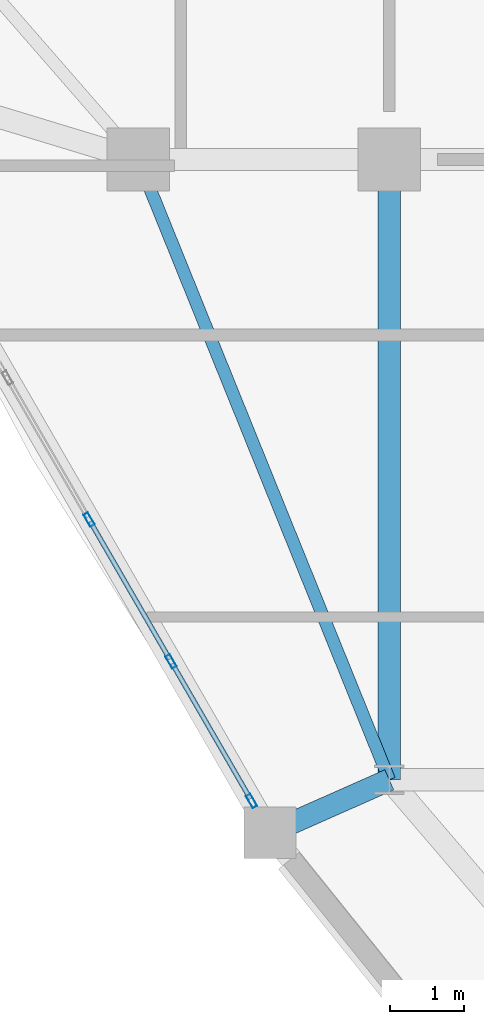
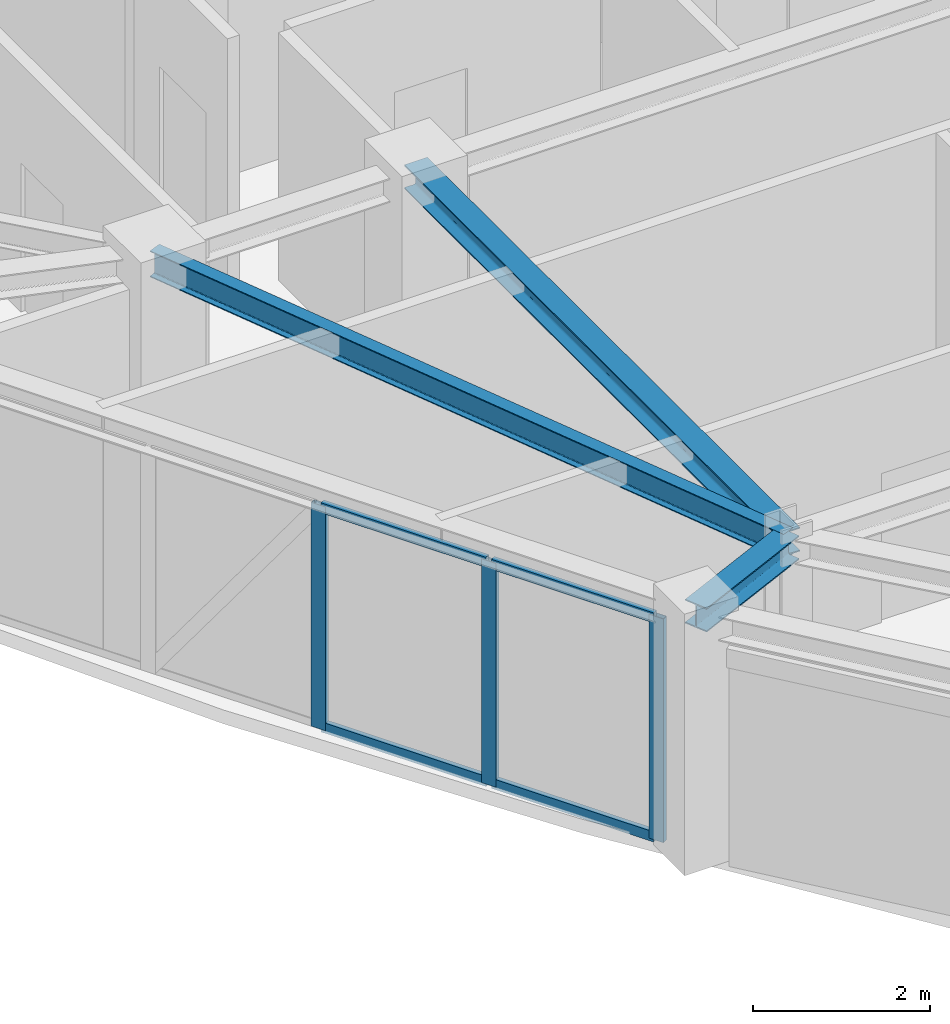
# One storey, part 2 of 15: 7 members, 3 beams, 1 element without a shape of its own.
"""IFC4 building model written with IfcOpenShell, lengths in metres."""

from ifc_helpers import new_model, si_unit, derived_unit, direction, frame, origin, origin_2d, place, context, subcontext, project, spatial, hollow_rectangle, i_section, extrude, source, transform, mapped, material, layer, layer_set, material_profile, profile_set, type_object, element, aggregate, save


model = new_model("IFC4")

# Units and contexts
model_context = context("Model", 3, precision=1e-05, world=origin(), true_north=direction((0.0, 1.0)))
body_context = subcontext(model_context, "Body", "Model", "MODEL_VIEW")
ifc_project = project(units=[si_unit("LENGTHUNIT", "METRE"), si_unit("AREAUNIT", "SQUARE_METRE"), si_unit("VOLUMEUNIT", "CUBIC_METRE"), si_unit("PLANEANGLEUNIT", "RADIAN"), si_unit("MASSUNIT", "GRAM", prefix="KILO"), derived_unit("THERMALTRANSMITTANCEUNIT", [(si_unit("POWERUNIT", "WATT"), 1), (si_unit("LENGTHUNIT", "METRE"), -2), (si_unit("THERMODYNAMICTEMPERATUREUNIT", "KELVIN"), -1)])], contexts=[model_context])

# Site, building, storey
site_placement = place(None, origin())
site = spatial("IfcSite", under=ifc_project, at=site_placement, CompositionType="ELEMENT")
building_placement = place(site_placement, origin())
building = spatial("IfcBuilding", under=site, at=building_placement, Name="Korsvarv Bourse and Concert Hall", CompositionType="ELEMENT")
storey_placement = place(building_placement, frame((0.0, 0.0, 246.60009765625)))
storey = spatial("IfcBuildingStorey", under=building, at=storey_placement, Name="L64", CompositionType="ELEMENT", Elevation=246.60009765625)

# Beams
ifc_material_1 = material(Name="Steel S355", Category="steel")
ifc_material_profile_1 = material_profile(ifc_material_1, i_section(OverallWidth=0.169921875, OverallDepth=0.360107421875, WebThickness=0.008056640625, FlangeThickness=0.0126953125, FilletRadius=0.01806640625, at=origin_2d()), Name="IPE 360")
ifc_profile_set_1 = profile_set([ifc_material_profile_1], Name="Steel S355")
beam_type_1 = type_object("IfcBeamType", Name="BM-IPE360", PredefinedType="JOIST", material=ifc_profile_set_1)
shared_shape_1 = source(origin(), body_context, "Body", "SweptSolid", [
    extrude(i_section(OverallWidth=0.169921875, OverallDepth=0.360107421875, WebThickness=0.008056640625, FlangeThickness=0.0126953125, FilletRadius=0.01806640625, at=origin_2d()), origin(), (0.0, 0.0, 1.0), 9.06201171875),
])
beam_1_placement = place(storey_placement, frame((24.199951171875, 32.39990234375, 3.22998046875), z_axis=(0.375210394783, -0.926939674222, 0.0), x_axis=(0.926939674222, 0.375210394783, 0.0)))
element("IfcBeam", 1, at=beam_1_placement, inside=storey, type_object=beam_type_1, Name="L64 beam J-06", PredefinedType="JOIST", context=body_context, shape_type="MappedRepresentation", body=[
    mapped(shared_shape_1, transform((0.0, 0.0, 0.0), scale=1.0)),
])
ifc_material_profile_2 = material_profile(ifc_material_1, i_section(OverallWidth=0.300048828125, OverallDepth=0.330078125, WebThickness=0.009521484375, FlangeThickness=0.0166015625, FilletRadius=0.02099609375, at=origin_2d()), Name="HEA 340")
ifc_profile_set_2 = profile_set([ifc_material_profile_2], Name="Steel S355")
beam_type_2 = type_object("IfcBeamType", Name="BM-HEA340", PredefinedType="BEAM", material=ifc_profile_set_2)
shared_shape_2 = source(origin(), body_context, "Body", "SweptSolid", [
    extrude(i_section(OverallWidth=0.300048828125, OverallDepth=0.330078125, WebThickness=0.009521484375, FlangeThickness=0.0166015625, FilletRadius=0.02099609375, at=origin_2d()), origin(), (0.0, 0.0, 1.0), 8.39990234375),
])
beam_2_placement = place(storey_placement, frame((27.60009765625, 24.0, 3.244873046875), z_axis=(0.0, 1.0, 0.0), x_axis=(-1.0, 0.0, 0.0)))
element("IfcBeam", 2, at=beam_2_placement, inside=storey, type_object=beam_type_2, Name="L64 beam B-12", PredefinedType="BEAM", context=body_context, shape_type="MappedRepresentation", body=[
    mapped(shared_shape_2, transform((0.0, 0.0, 0.0), scale=1.0)),
])
shared_shape_3 = source(origin(), body_context, "Body", "SweptSolid", [
    extrude(i_section(OverallWidth=0.300048828125, OverallDepth=0.330078125, WebThickness=0.009521484375, FlangeThickness=0.0166015625, FilletRadius=0.02099609375, at=origin_2d()), origin(), (0.0, 0.0, 1.0), 1.768310546875),
])
beam_3_placement = place(storey_placement, frame((25.9833984375, 23.28369140625, 3.244873046875), z_axis=(0.914277809645, 0.405087751963, 0.0), x_axis=(-0.405087751963, 0.914277809645, 0.0)))
element("IfcBeam", 3, at=beam_3_placement, inside=storey, type_object=beam_type_2, Name="L64 beam B-12", PredefinedType="BEAM", context=body_context, shape_type="MappedRepresentation", body=[
    mapped(shared_shape_3, transform((0.0, 0.0, 0.0), scale=1.0)),
])

# Curtain wall, members
ifc_material_2 = material(Name="Anodised aluminium and triple low-E glazing", Category="glass")
ifc_layer = layer(ifc_material_2, 0.199951171875)
ifc_layer_set = layer_set([ifc_layer], Name="Anodised aluminium and triple low-E glazing")
curtain_wall_type = type_object("IfcCurtainWallType", Name="CW-SYS-3", PredefinedType="NOTDEFINED", material=ifc_layer_set)
curtain_wall_placement = place(storey_placement, origin())
curtain_wall = element("IfcCurtainWall", 4, at=curtain_wall_placement, inside=storey, type_object=curtain_wall_type, Name="L64 CW3 curtain wall CW-L64-F07", PredefinedType="NOTDEFINED")
ifc_material_3 = material(Name="Extruded aluminium EN AW-6063 T66", Category="aluminium")
ifc_material_profile_3 = material_profile(ifc_material_3, hollow_rectangle(XDim=0.06494140625, YDim=0.139892578125, WallThickness=0.00390625, at=origin_2d()), Name="ALU-T 65x140")
ifc_profile_set_3 = profile_set([ifc_material_profile_3], Name="Extruded aluminium EN AW-6063 T66")
member_type_1 = type_object("IfcMemberType", Name="CWT-140", PredefinedType="USERDEFINED", material=ifc_profile_set_3)
shared_shape_4 = source(origin(), body_context, "Body", "SweptSolid", [
    extrude(hollow_rectangle(XDim=0.06494140625, YDim=0.139892578125, WallThickness=0.00390625, at=origin_2d()), origin(), (0.0, 0.0, 1.0), 2.14697265625),
])
member_1_placement = place(storey_placement, frame((23.552978515625, 27.493408203125, 0.032470703125), z_axis=(0.499991501415, -0.866030310389, 0.0), x_axis=(0.866030310389, 0.499991501415, 0.0)))
member_1 = element("IfcMember", 5, at=member_1_placement, type_object=member_type_1, Name="CW3 transom 4.1", ObjectType="TRANSOM", PredefinedType="USERDEFINED", context=body_context, shape_type="MappedRepresentation", body=[
    mapped(shared_shape_4, transform((0.0, 0.0, 0.0), scale=1.0)),
])
member_2_placement = place(storey_placement, frame((23.552978515625, 27.493408203125, 3.04736328125), z_axis=(0.499991501415, -0.866030310389, 0.0), x_axis=(0.866030310389, 0.499991501415, 0.0)))
member_2 = element("IfcMember", 6, at=member_2_placement, type_object=member_type_1, Name="CW3 transom 4.2", ObjectType="TRANSOM", PredefinedType="USERDEFINED", context=body_context, shape_type="MappedRepresentation", body=[
    mapped(shared_shape_4, transform((0.0, 0.0, 0.0), scale=1.0)),
])
shared_shape_5 = source(origin(), body_context, "Body", "SweptSolid", [
    extrude(hollow_rectangle(XDim=0.06494140625, YDim=0.139892578125, WallThickness=0.00390625, at=origin_2d()), origin(), (0.0, 0.0, 1.0), 2.112060546875),
])
member_3_placement = place(storey_placement, frame((24.66162109375, 25.573486328125, 0.032470703125), z_axis=(0.499955938198, -0.866050841383, 0.0), x_axis=(0.866050841383, 0.499955938198, 0.0)))
member_3 = element("IfcMember", 7, at=member_3_placement, type_object=member_type_1, Name="CW3 transom 5.1", ObjectType="TRANSOM", PredefinedType="USERDEFINED", context=body_context, shape_type="MappedRepresentation", body=[
    mapped(shared_shape_5, transform((0.0, 0.0, 0.0), scale=1.0)),
])
member_4_placement = place(storey_placement, frame((24.66162109375, 25.573486328125, 3.04736328125), z_axis=(0.499955938198, -0.866050841383, 0.0), x_axis=(0.866050841383, 0.499955938198, 0.0)))
member_4 = element("IfcMember", 8, at=member_4_placement, type_object=member_type_1, Name="CW3 transom 5.2", ObjectType="TRANSOM", PredefinedType="USERDEFINED", context=body_context, shape_type="MappedRepresentation", body=[
    mapped(shared_shape_5, transform((0.0, 0.0, 0.0), scale=1.0)),
])
ifc_material_profile_4 = material_profile(ifc_material_3, hollow_rectangle(XDim=0.070068359375, YDim=0.18994140625, WallThickness=0.0048828125, at=origin_2d()), Name="ALU-M 70x190")
ifc_profile_set_4 = profile_set([ifc_material_profile_4], Name="Extruded aluminium EN AW-6063 T66")
member_type_2 = type_object("IfcMemberType", Name="CWM-190", PredefinedType="MULLION", material=ifc_profile_set_4)
shared_shape_6 = source(origin(), body_context, "Body", "SweptSolid", [
    extrude(hollow_rectangle(XDim=0.070068359375, YDim=0.18994140625, WallThickness=0.0048828125, at=origin_2d()), origin(), (0.0, 0.0, 1.0), 3.079833984375),
])
member_5_placement = place(storey_placement, frame((23.53564453125, 27.523681640625, 0.0), z_axis=(0.0, 0.0, 1.0), x_axis=(0.866021686907, 0.500006437765, 0.0)))
member_5 = element("IfcMember", 9, at=member_5_placement, type_object=member_type_2, Name="CW3 mullion 4", PredefinedType="MULLION", context=body_context, shape_type="MappedRepresentation", body=[
    mapped(shared_shape_6, transform((0.0, 0.0, 0.0), scale=1.0)),
])
member_6_placement = place(storey_placement, frame((24.64404296875, 25.603759765625, 0.0), z_axis=(0.0, 0.0, 1.0), x_axis=(0.866021686907, 0.500006437765, 0.0)))
member_6 = element("IfcMember", 10, at=member_6_placement, type_object=member_type_2, Name="CW3 mullion 5", PredefinedType="MULLION", context=body_context, shape_type="MappedRepresentation", body=[
    mapped(shared_shape_6, transform((0.0, 0.0, 0.0), scale=1.0)),
])
member_7_placement = place(storey_placement, frame((25.735107421875, 23.714111328125, 0.0), z_axis=(0.0, 0.0, 1.0), x_axis=(0.866021686907, 0.500006437765, 0.0)))
member_7 = element("IfcMember", 11, at=member_7_placement, type_object=member_type_2, Name="CW3 mullion 6", PredefinedType="MULLION", context=body_context, shape_type="MappedRepresentation", body=[
    mapped(shared_shape_6, transform((0.0, 0.0, 0.0), scale=1.0)),
])
aggregate(curtain_wall, [member_5, member_6, member_7, member_1, member_2, member_3, member_4])

save(model, "model.ifc")
